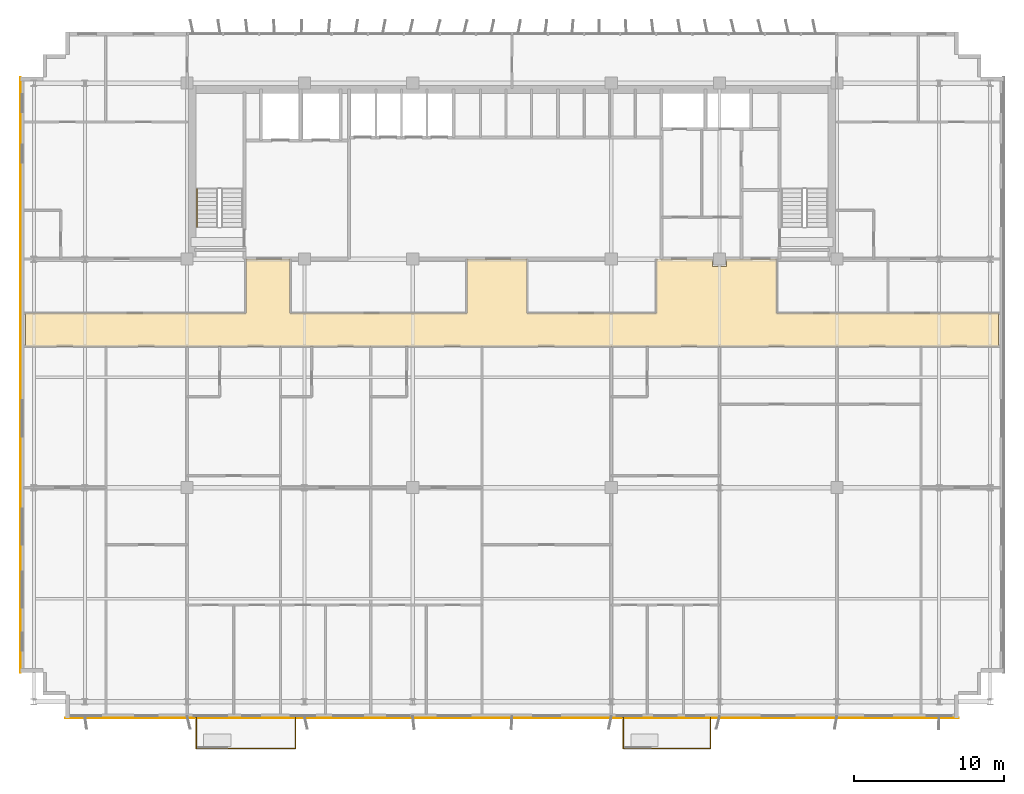
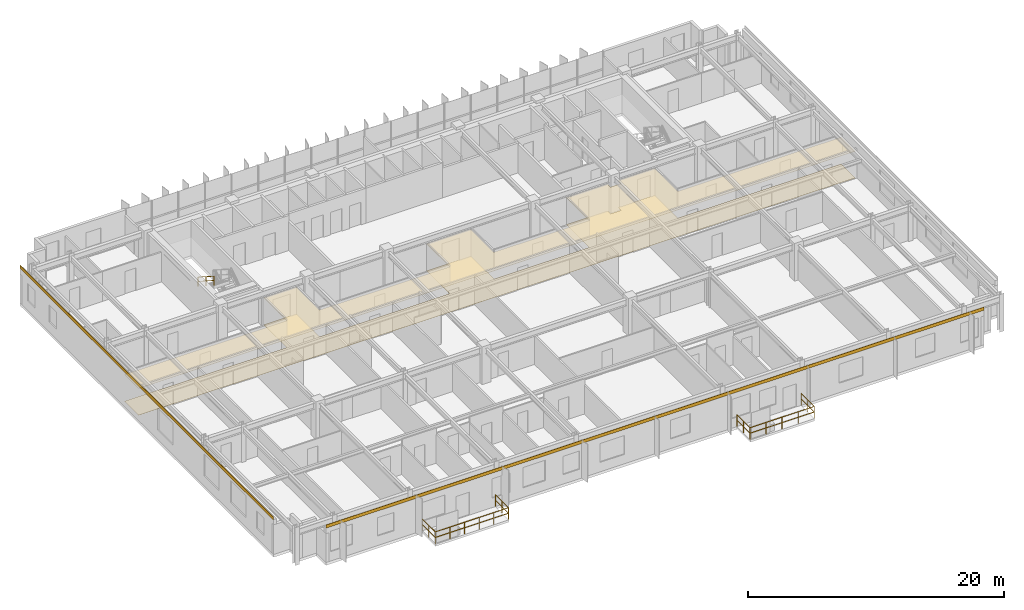
# One storey, part 20 of 22: 7 railings, 4 coverings.
"""IFC4 building model written with IfcOpenShell, lengths in metres."""

from ifc_helpers import new_model, si_unit, direction, frame, origin, origin_2d, place, context, subcontext, project, spatial, polyline, rectangle, outline, extrude, source, transform, mapped, material, layer, layer_set, type_object, element, save


model = new_model("IFC4")

# Units and contexts
model_context = context("Model", 3, precision=1e-05, world=origin(), true_north=direction((0.0, 1.0)))
body_context = subcontext(model_context, "Body", "Model", "MODEL_VIEW")
ifc_project = project(units=[si_unit("LENGTHUNIT", "METRE"), si_unit("AREAUNIT", "SQUARE_METRE"), si_unit("VOLUMEUNIT", "CUBIC_METRE"), si_unit("PLANEANGLEUNIT", "RADIAN"), si_unit("MASSUNIT", "GRAM", prefix="KILO")], contexts=[model_context])

# Site, building, storey
site_placement = place(None, origin())
site = spatial("IfcSite", under=ifc_project, at=site_placement, CompositionType="ELEMENT")
building_placement = place(site_placement, origin())
building = spatial("IfcBuilding", under=site, at=building_placement, Name="Trelvane Seafront Commons", CompositionType="ELEMENT")
storey_placement = place(building_placement, frame((0.0, 0.0, 114.10009765625)))
storey = spatial("IfcBuildingStorey", under=building, at=storey_placement, Name="L29", CompositionType="ELEMENT", Elevation=114.10009765625)

# Coverings
ifc_material_1 = material(Name="Acoustic Mineral Fibre Ceiling")
ifc_layer_1 = layer(ifc_material_1, 0.02490234375, Name="ARCH-COV-CEIL25")
ifc_layer_set_1 = layer_set([ifc_layer_1], Name="Acoustic Mineral Fibre Ceiling")
covering_type_1 = type_object("IfcCoveringType", Name="ARCH-COV-CEIL25", PredefinedType="CEILING", material=ifc_layer_set_1)
covering_1_placement = place(storey_placement, frame((0.0, 0.0, 2.5498046875)))
element("IfcCovering", 1, at=covering_1_placement, inside=storey, type_object=covering_type_1, Name="COV-CEIL-L29-13", PredefinedType="CEILING", context=body_context, shape_type="SweptSolid", body=[
    extrude(outline(polyline([(51.47998046875, 33.39990234375), (51.47998046875, 32.919921875), (50.52001953125, 32.919921875), (50.52001953125, 33.39990234375), (46.800048828125, 33.39990234375), (46.800048828125, 29.800048828125), (38.199951171875, 29.800048828125), (38.199951171875, 33.39990234375), (34.199951171875, 33.39990234375), (34.199951171875, 29.800048828125), (22.449951171875, 29.800048828125), (22.449951171875, 33.39990234375), (19.5, 33.39990234375), (19.5, 29.800048828125), (4.85009765625, 29.800048828125), (4.85009765625, 27.60009765625), (69.550048828125, 27.60009765625), (69.550048828125, 29.800048828125), (54.800048828125, 29.800048828125), (54.800048828125, 33.39990234375), (51.47998046875, 33.39990234375)])), origin(), (0.0, 0.0, 1.0), 0.025146484375),
])
ifc_material_2 = material(Name="Polished Terrazzo Finish")
ifc_layer_2 = layer(ifc_material_2, 0.02001953125, Name="ARCH-COV-FLOR20")
ifc_layer_set_2 = layer_set([ifc_layer_2], Name="Polished Terrazzo Finish")
covering_type_2 = type_object("IfcCoveringType", Name="ARCH-COV-FLOR20", PredefinedType="FLOORING", material=ifc_layer_set_2)
covering_2_placement = place(storey_placement, origin())
element("IfcCovering", 2, at=covering_2_placement, inside=storey, type_object=covering_type_2, Name="COV-FLOR-L29-13", PredefinedType="FLOORING", context=body_context, shape_type="SweptSolid", body=[
    extrude(outline(polyline([(51.47998046875, 33.39990234375), (51.47998046875, 32.919921875), (50.52001953125, 32.919921875), (50.52001953125, 33.39990234375), (46.800048828125, 33.39990234375), (46.800048828125, 29.800048828125), (38.199951171875, 29.800048828125), (38.199951171875, 33.39990234375), (34.199951171875, 33.39990234375), (34.199951171875, 29.800048828125), (22.449951171875, 29.800048828125), (22.449951171875, 33.39990234375), (19.5, 33.39990234375), (19.5, 29.800048828125), (4.85009765625, 29.800048828125), (4.85009765625, 27.60009765625), (69.550048828125, 27.60009765625), (69.550048828125, 29.800048828125), (54.800048828125, 29.800048828125), (54.800048828125, 33.39990234375), (51.47998046875, 33.39990234375)])), origin(), (0.0, 0.0, 1.0), 0.02001953125),
])

# Railings
ifc_material_3 = material(Name="Stainless steel balustrade", Category="steel")
railing_type_1 = type_object("IfcRailingType", Name="ARCH-RAIL-BAL1150", PredefinedType="BALUSTRADE", material=ifc_material_3)
railing_1_placement = place(storey_placement, frame((16.199951171875, 2.89990234375, 0.0)))
element("IfcRailing", 3, at=railing_1_placement, inside=storey, type_object=railing_type_1, Name="RL-L29-BAL0-01", PredefinedType="BALUSTRADE", context=body_context, shape_type="SweptSolid", body=[
    extrude(rectangle(XDim=0.048095703125, YDim=0.048095703125, at=origin_2d()), frame((0.0, 0.0, 1.1259765625), z_axis=(0.0, -1.0, 0.0), x_axis=(1.0, 0.0, 0.0)), (0.0, 0.0, 1.0), 2.039794921875),
    extrude(rectangle(XDim=0.048095703125, YDim=0.048095703125, at=origin_2d()), frame((0.0, 0.0, 0.597900390625), z_axis=(0.0, -1.0, 0.0), x_axis=(1.0, 0.0, 0.0)), (0.0, 0.0, 1.0), 2.039794921875),
    extrude(rectangle(XDim=0.0419921875, YDim=0.0419921875, at=origin_2d()), origin(), (0.0, 0.0, 1.0), 1.1259765625),
    extrude(rectangle(XDim=0.0419921875, YDim=0.0419921875, at=origin_2d()), frame((0.0, -1.02001953125, 0.0)), (0.0, 0.0, 1.0), 1.1259765625),
    extrude(rectangle(XDim=0.0419921875, YDim=0.0419921875, at=origin_2d()), frame((0.0, -2.039794921875, 0.0)), (0.0, 0.0, 1.0), 1.1259765625),
])
railing_2_placement = place(storey_placement, frame((16.199951171875, 0.860107421875, 0.0)))
element("IfcRailing", 4, at=railing_2_placement, inside=storey, type_object=railing_type_1, Name="RL-L29-BAL0-02", PredefinedType="BALUSTRADE", context=body_context, shape_type="SweptSolid", body=[
    extrude(rectangle(XDim=0.048095703125, YDim=0.048095703125, at=origin_2d()), frame((0.0, 0.0, 1.1259765625), z_axis=(1.0, 0.0, 0.0), x_axis=(0.0, 1.0, 0.0)), (0.0, 0.0, 1.0), 6.60009765625),
    extrude(rectangle(XDim=0.048095703125, YDim=0.048095703125, at=origin_2d()), frame((0.0, 0.0, 0.597900390625), z_axis=(1.0, 0.0, 0.0), x_axis=(0.0, 1.0, 0.0)), (0.0, 0.0, 1.0), 6.60009765625),
    extrude(rectangle(XDim=0.0419921875, YDim=0.0419921875, at=origin_2d()), origin(), (0.0, 0.0, 1.0), 1.1259765625),
    extrude(rectangle(XDim=0.0419921875, YDim=0.0419921875, at=origin_2d()), frame((1.320068359375, 0.0, 0.0)), (0.0, 0.0, 1.0), 1.1259765625),
    extrude(rectangle(XDim=0.0419921875, YDim=0.0419921875, at=origin_2d()), frame((2.64013671875, 0.0, 0.0)), (0.0, 0.0, 1.0), 1.1259765625),
    extrude(rectangle(XDim=0.0419921875, YDim=0.0419921875, at=origin_2d()), frame((3.9599609375, 0.0, 0.0)), (0.0, 0.0, 1.0), 1.1259765625),
    extrude(rectangle(XDim=0.0419921875, YDim=0.0419921875, at=origin_2d()), frame((5.280029296875, 0.0, 0.0)), (0.0, 0.0, 1.0), 1.1259765625),
    extrude(rectangle(XDim=0.0419921875, YDim=0.0419921875, at=origin_2d()), frame((6.60009765625, 0.0, 0.0)), (0.0, 0.0, 1.0), 1.1259765625),
])
railing_3_placement = place(storey_placement, frame((22.800048828125, 0.860107421875, 0.0)))
element("IfcRailing", 5, at=railing_3_placement, inside=storey, type_object=railing_type_1, Name="RL-L29-BAL0-03", PredefinedType="BALUSTRADE", context=body_context, shape_type="SweptSolid", body=[
    extrude(rectangle(XDim=0.048095703125, YDim=0.048095703125, at=origin_2d()), frame((0.0, 0.0, 1.1259765625), z_axis=(0.0, 1.0, 0.0), x_axis=(-1.0, 0.0, 0.0)), (0.0, 0.0, 1.0), 2.039794921875),
    extrude(rectangle(XDim=0.048095703125, YDim=0.048095703125, at=origin_2d()), frame((0.0, 0.0, 0.597900390625), z_axis=(0.0, 1.0, 0.0), x_axis=(-1.0, 0.0, 0.0)), (0.0, 0.0, 1.0), 2.039794921875),
    extrude(rectangle(XDim=0.0419921875, YDim=0.0419921875, at=origin_2d()), origin(), (0.0, 0.0, 1.0), 1.1259765625),
    extrude(rectangle(XDim=0.0419921875, YDim=0.0419921875, at=origin_2d()), frame((0.0, 1.02001953125, 0.0)), (0.0, 0.0, 1.0), 1.1259765625),
    extrude(rectangle(XDim=0.0419921875, YDim=0.0419921875, at=origin_2d()), frame((0.0, 2.039794921875, 0.0)), (0.0, 0.0, 1.0), 1.1259765625),
])
railing_4_placement = place(storey_placement, frame((44.60009765625, 2.89990234375, 0.0)))
element("IfcRailing", 6, at=railing_4_placement, inside=storey, type_object=railing_type_1, Name="RL-L29-BAL1-01", PredefinedType="BALUSTRADE", context=body_context, shape_type="SweptSolid", body=[
    extrude(rectangle(XDim=0.048095703125, YDim=0.048095703125, at=origin_2d()), frame((0.0, 0.0, 1.1259765625), z_axis=(0.0, -1.0, 0.0), x_axis=(1.0, 0.0, 0.0)), (0.0, 0.0, 1.0), 2.039794921875),
    extrude(rectangle(XDim=0.048095703125, YDim=0.048095703125, at=origin_2d()), frame((0.0, 0.0, 0.597900390625), z_axis=(0.0, -1.0, 0.0), x_axis=(1.0, 0.0, 0.0)), (0.0, 0.0, 1.0), 2.039794921875),
    extrude(rectangle(XDim=0.0419921875, YDim=0.0419921875, at=origin_2d()), origin(), (0.0, 0.0, 1.0), 1.1259765625),
    extrude(rectangle(XDim=0.0419921875, YDim=0.0419921875, at=origin_2d()), frame((0.0, -1.02001953125, 0.0)), (0.0, 0.0, 1.0), 1.1259765625),
    extrude(rectangle(XDim=0.0419921875, YDim=0.0419921875, at=origin_2d()), frame((0.0, -2.039794921875, 0.0)), (0.0, 0.0, 1.0), 1.1259765625),
])
railing_5_placement = place(storey_placement, frame((44.60009765625, 0.860107421875, 0.0)))
element("IfcRailing", 7, at=railing_5_placement, inside=storey, type_object=railing_type_1, Name="RL-L29-BAL1-02", PredefinedType="BALUSTRADE", context=body_context, shape_type="SweptSolid", body=[
    extrude(rectangle(XDim=0.048095703125, YDim=0.048095703125, at=origin_2d()), frame((0.0, 0.0, 1.1259765625), z_axis=(1.0, 0.0, 0.0), x_axis=(0.0, 1.0, 0.0)), (0.0, 0.0, 1.0), 5.7998046875),
    extrude(rectangle(XDim=0.048095703125, YDim=0.048095703125, at=origin_2d()), frame((0.0, 0.0, 0.597900390625), z_axis=(1.0, 0.0, 0.0), x_axis=(0.0, 1.0, 0.0)), (0.0, 0.0, 1.0), 5.7998046875),
    extrude(rectangle(XDim=0.0419921875, YDim=0.0419921875, at=origin_2d()), origin(), (0.0, 0.0, 1.0), 1.1259765625),
    extrude(rectangle(XDim=0.0419921875, YDim=0.0419921875, at=origin_2d()), frame((1.449951171875, 0.0, 0.0)), (0.0, 0.0, 1.0), 1.1259765625),
    extrude(rectangle(XDim=0.0419921875, YDim=0.0419921875, at=origin_2d()), frame((2.89990234375, 0.0, 0.0)), (0.0, 0.0, 1.0), 1.1259765625),
    extrude(rectangle(XDim=0.0419921875, YDim=0.0419921875, at=origin_2d()), frame((4.349853515625, 0.0, 0.0)), (0.0, 0.0, 1.0), 1.1259765625),
    extrude(rectangle(XDim=0.0419921875, YDim=0.0419921875, at=origin_2d()), frame((5.7998046875, 0.0, 0.0)), (0.0, 0.0, 1.0), 1.1259765625),
])
railing_6_placement = place(storey_placement, frame((50.39990234375, 0.860107421875, 0.0)))
element("IfcRailing", 8, at=railing_6_placement, inside=storey, type_object=railing_type_1, Name="RL-L29-BAL1-03", PredefinedType="BALUSTRADE", context=body_context, shape_type="SweptSolid", body=[
    extrude(rectangle(XDim=0.048095703125, YDim=0.048095703125, at=origin_2d()), frame((0.0, 0.0, 1.1259765625), z_axis=(0.0, 1.0, 0.0), x_axis=(-1.0, 0.0, 0.0)), (0.0, 0.0, 1.0), 2.039794921875),
    extrude(rectangle(XDim=0.048095703125, YDim=0.048095703125, at=origin_2d()), frame((0.0, 0.0, 0.597900390625), z_axis=(0.0, 1.0, 0.0), x_axis=(-1.0, 0.0, 0.0)), (0.0, 0.0, 1.0), 2.039794921875),
    extrude(rectangle(XDim=0.0419921875, YDim=0.0419921875, at=origin_2d()), origin(), (0.0, 0.0, 1.0), 1.1259765625),
    extrude(rectangle(XDim=0.0419921875, YDim=0.0419921875, at=origin_2d()), frame((0.0, 1.02001953125, 0.0)), (0.0, 0.0, 1.0), 1.1259765625),
    extrude(rectangle(XDim=0.0419921875, YDim=0.0419921875, at=origin_2d()), frame((0.0, 2.039794921875, 0.0)), (0.0, 0.0, 1.0), 1.1259765625),
])
railing_type_2 = type_object("IfcRailingType", Name="ARCH-SRL-HAND", PredefinedType="HANDRAIL", material=ifc_material_3)
railing_7_placement = place(storey_placement, frame((16.25, 38.070068359375, 1.97998046875)))
element("IfcRailing", 9, at=railing_7_placement, inside=storey, type_object=railing_type_2, Name="L29 ST-1 stair handrail 2", PredefinedType="HANDRAIL", context=body_context, shape_type="SweptSolid", body=[
    extrude(rectangle(XDim=0.048095703125, YDim=0.048095703125, at=origin_2d()), frame((0.0, 0.0, 0.8759765625), z_axis=(0.0, -0.841199657755, 0.540724639528), x_axis=(1.0, 0.0, 0.0)), (0.0, 0.0, 1.0), 2.995849609375),
    extrude(rectangle(XDim=0.048095703125, YDim=0.048095703125, at=origin_2d()), frame((0.0, 0.0, 0.468017578125), z_axis=(0.0, -0.841199657755, 0.540724639528), x_axis=(1.0, 0.0, 0.0)), (0.0, 0.0, 1.0), 2.995849609375),
    extrude(rectangle(XDim=0.0419921875, YDim=0.0419921875, at=origin_2d()), origin(), (0.0, 0.0, 1.0), 0.8759765625),
    extrude(rectangle(XDim=0.0419921875, YDim=0.0419921875, at=origin_2d()), frame((0.0, -1.260009765625, 0.81005859375)), (0.0, 0.0, 1.0), 0.8759765625),
    extrude(rectangle(XDim=0.0419921875, YDim=0.0419921875, at=origin_2d()), frame((0.0, -2.52001953125, 1.619873046875)), (0.0, 0.0, 1.0), 0.8759765625),
])

# Coverings
ifc_material_4 = material(Name="Anodised pale-silver aluminium", Category="aluminium")
ifc_layer_3 = layer(ifc_material_4, 0.034912109375, Name="ARCH-COV-CLAD35")
ifc_layer_set_3 = layer_set([ifc_layer_3], Name="Anodised pale-silver aluminium")
covering_type_3 = type_object("IfcCoveringType", Name="ARCH-COV-CLAD35", PredefinedType="CLADDING", material=ifc_layer_set_3)
shared_shape_1 = source(origin(), body_context, "Body", "SweptSolid", [
    extrude(rectangle(XDim=39.60009765625, YDim=0.034912109375, at=origin_2d()), origin(), (0.0, 0.0, 1.0), 0.300048828125),
])
covering_3_placement = place(storey_placement, frame((4.5, 25.699951171875, 3.2998046875), z_axis=(0.0, 0.0, 1.0), x_axis=(0.0, 1.0, 0.0)))
element("IfcCovering", 10, at=covering_3_placement, inside=storey, type_object=covering_type_3, Name="CLD-L29-00118", PredefinedType="CLADDING", context=body_context, shape_type="MappedRepresentation", body=[
    mapped(shared_shape_1, transform((0.0, 0.0, 0.0), x_axis=(1.0, 0.0, 0.0), y_axis=(0.0, 1.0, 0.0), z_axis=(0.0, 0.0, 1.0), scale=1.0)),
])
shared_shape_2 = source(origin(), body_context, "Body", "SweptSolid", [
    extrude(rectangle(XDim=59.39990234375, YDim=0.034912109375, at=origin_2d()), origin(), (0.0, 0.0, 1.0), 0.300048828125),
])
covering_4_placement = place(storey_placement, frame((37.199951171875, 2.89990234375, 3.2998046875), z_axis=(0.0, 0.0, 1.0), x_axis=(-1.0, 0.0, 0.0)))
element("IfcCovering", 11, at=covering_4_placement, inside=storey, type_object=covering_type_3, Name="CLD-L29-00120", PredefinedType="CLADDING", context=body_context, shape_type="MappedRepresentation", body=[
    mapped(shared_shape_2, transform((0.0, 0.0, 0.0), x_axis=(1.0, 0.0, 0.0), y_axis=(0.0, 1.0, 0.0), z_axis=(0.0, 0.0, 1.0), scale=1.0)),
])

save(model, "model.ifc")
